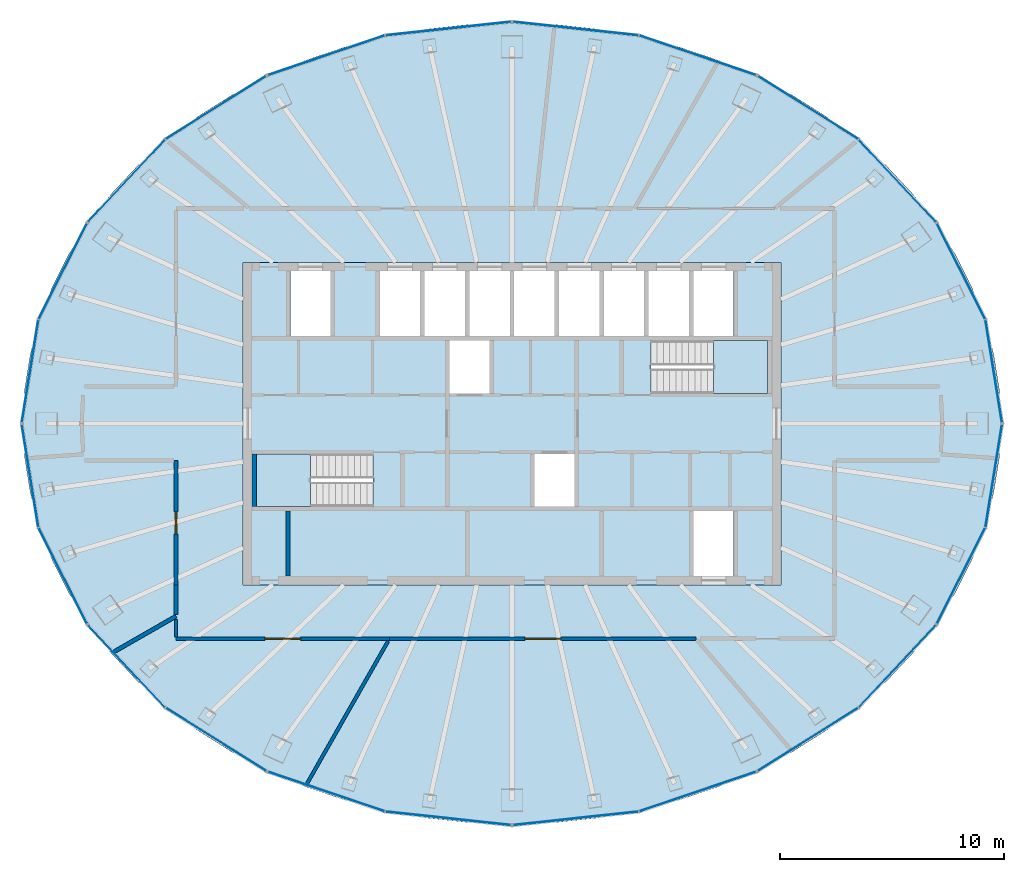
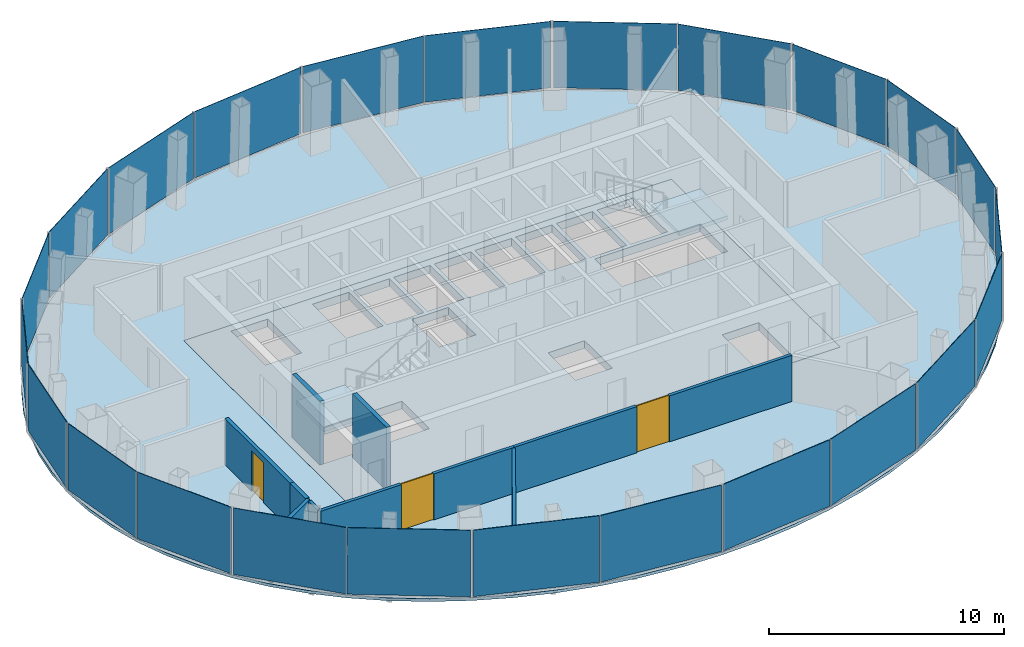
# One storey, part 7 of 11: 24 plates, 9 walls, 4 slabs, 3 doors, 3 openings, 14 elements without a shape of their own.
"""IFC4 building model written with IfcOpenShell, lengths in metres."""

from ifc_helpers import new_model, si_unit, direction, frame, frame_2d, origin, origin_2d, place, context, subcontext, project, spatial, polyline, rectangle, outline, extrude, material, layer, layer_set, type_object, element, fill, aggregate, save


model = new_model("IFC4")

# Units and contexts
model_context = context("Model", 3, precision=1e-05, world=origin(), true_north=direction((0.0, 1.0)))
body_context = subcontext(model_context, "Body", "Model", "MODEL_VIEW")
ifc_project = project(units=[si_unit("LENGTHUNIT", "METRE"), si_unit("AREAUNIT", "SQUARE_METRE"), si_unit("VOLUMEUNIT", "CUBIC_METRE"), si_unit("PLANEANGLEUNIT", "RADIAN"), si_unit("MASSUNIT", "GRAM", prefix="KILO")], contexts=[model_context])

# Site, building, storey
site_placement = place(None, origin())
site = spatial("IfcSite", under=ifc_project, at=site_placement, CompositionType="ELEMENT")
building_placement = place(site_placement, origin())
building = spatial("IfcBuilding", under=site, at=building_placement, Name="Siaravel Broadcast Tower", CompositionType="ELEMENT")
storey_placement = place(building_placement, frame((0.0, 0.0, 220.800048828125)))
storey = spatial("IfcBuildingStorey", under=building, at=storey_placement, Name="L53", CompositionType="ELEMENT", Elevation=220.800048828125)

# Curtain wall, plates
ifc_material_1 = material(Name="Aluminium 6063-T6", Category="aluminium")
ifc_layer_1 = layer(ifc_material_1, 0.159912109375)
ifc_layer_set_1 = layer_set([ifc_layer_1], Name="Aluminium 6063-T6")
curtain_wall_type = type_object("IfcCurtainWallType", Name="Unitised curtain wall, zone 4", PredefinedType="NOTDEFINED", material=ifc_layer_set_1)
curtain_wall_1_placement = place(storey_placement, origin())
curtain_wall_1 = element("IfcCurtainWall", 1, at=curtain_wall_1_placement, inside=storey, type_object=curtain_wall_type, Name="L53 Unitised curtain wall, zone 4 01", PredefinedType="NOTDEFINED")
ifc_material_2 = material(Name="Tinted insulated glass", Category="glass")
ifc_layer_2 = layer(ifc_material_2, 0.02587890625)
ifc_layer_set_2 = layer_set([ifc_layer_2], Name="Tinted insulated glass")
plate_type = type_object("IfcPlateType", Name="CW-Z4 glass panel", PredefinedType="CURTAIN_PANEL", material=ifc_layer_set_2)
plate_1_placement = place(storey_placement, frame((21.5107421875, 2.3359375, 0.090087890625), z_axis=(0.0, 0.0, 1.0), x_axis=(-0.158684943, 0.987329271, 0.0)))
plate_1 = element("IfcPlate", 2, at=plate_1_placement, type_object=plate_type, Name="CW-Z4 glass panel", PredefinedType="CURTAIN_PANEL", context=body_context, shape_type="SweptSolid", body=[
    extrude(rectangle(XDim=4.6220703125, YDim=0.02587890625, at=origin_2d()), origin(), (0.0, 0.0, 1.0), 3.4599609375),
])
plate_2_placement = place(storey_placement, frame((20.0517578125, 6.796142578125, 0.090087890625), z_axis=(0.0, 0.0, 1.0), x_axis=(-0.451259701, 0.892392673, 0.0)))
plate_2 = element("IfcPlate", 3, at=plate_2_placement, type_object=plate_type, Name="CW-Z4 glass panel", PredefinedType="CURTAIN_PANEL", context=body_context, shape_type="SweptSolid", body=[
    extrude(rectangle(XDim=4.766357421875, YDim=0.02587890625, at=origin_2d()), origin(), (0.0, 0.0, 1.0), 3.4599609375),
])
aggregate(curtain_wall_1, [plate_1, plate_2])

curtain_wall_2_placement = place(storey_placement, origin())
curtain_wall_2 = element("IfcCurtainWall", 4, at=curtain_wall_2_placement, inside=storey, type_object=curtain_wall_type, Name="L53 Unitised curtain wall, zone 4 02", PredefinedType="NOTDEFINED")
plate_3_placement = place(storey_placement, frame((17.202392578125, 10.839111328125, 0.090087890625), z_axis=(0.0, 0.0, 1.0), x_axis=(-0.68365411, 0.729806178, 0.0)))
plate_3 = element("IfcPlate", 5, at=plate_3_placement, type_object=plate_type, Name="CW-Z4 glass panel", PredefinedType="CURTAIN_PANEL", context=body_context, shape_type="SweptSolid", body=[
    extrude(rectangle(XDim=5.0068359375, YDim=0.02587890625, at=origin_2d()), origin(), (0.0, 0.0, 1.0), 3.4599609375),
])
plate_4_placement = place(storey_placement, frame((13.217529296875, 14.103515625, 0.090087890625), z_axis=(0.0, 0.0, 1.0), x_axis=(-0.84665001, 0.53215013, 0.0)))
plate_4 = element("IfcPlate", 6, at=plate_4_placement, type_object=plate_type, Name="CW-Z4 glass panel", PredefinedType="CURTAIN_PANEL", context=body_context, shape_type="SweptSolid", body=[
    extrude(rectangle(XDim=5.271240234375, YDim=0.02587890625, at=origin_2d()), origin(), (0.0, 0.0, 1.0), 3.4599609375),
])
aggregate(curtain_wall_2, [plate_3, plate_4])

curtain_wall_3_placement = place(storey_placement, origin())
curtain_wall_3 = element("IfcCurtainWall", 7, at=curtain_wall_3_placement, inside=storey, type_object=curtain_wall_type, Name="L53 Unitised curtain wall, zone 4 03", PredefinedType="NOTDEFINED")
plate_5_placement = place(storey_placement, frame((8.287841796875, 16.434814453125, 0.090087890625), z_axis=(0.0, 0.0, 1.0), x_axis=(-0.946977039, 0.321301242, 0.0)))
plate_5 = element("IfcPlate", 8, at=plate_5_placement, type_object=plate_type, Name="CW-Z4 glass panel", PredefinedType="CURTAIN_PANEL", context=body_context, shape_type="SweptSolid", body=[
    extrude(rectangle(XDim=5.489990234375, YDim=0.02587890625, at=origin_2d()), origin(), (0.0, 0.0, 1.0), 3.4599609375),
])
plate_6_placement = place(storey_placement, frame((2.8447265625, 17.62939453125, 0.090087890625), z_axis=(0.0, 0.0, 1.0), x_axis=(-0.994235568, 0.107217705, 0.0)))
plate_6 = element("IfcPlate", 9, at=plate_6_placement, type_object=plate_type, Name="CW-Z4 glass panel", PredefinedType="CURTAIN_PANEL", context=body_context, shape_type="SweptSolid", body=[
    extrude(rectangle(XDim=5.61279296875, YDim=0.02587890625, at=origin_2d()), origin(), (0.0, 0.0, 1.0), 3.4599609375),
])
aggregate(curtain_wall_3, [plate_5, plate_6])

curtain_wall_4_placement = place(storey_placement, origin())
curtain_wall_4 = element("IfcCurtainWall", 10, at=curtain_wall_4_placement, inside=storey, type_object=curtain_wall_type, Name="L53 Unitised curtain wall, zone 4 04", PredefinedType="NOTDEFINED")
plate_7_placement = place(storey_placement, frame((-2.8447265625, 17.62939453125, 0.090087890625), z_axis=(0.0, 0.0, 1.0), x_axis=(-0.994235568, -0.107217705, 0.0)))
plate_7 = element("IfcPlate", 11, at=plate_7_placement, type_object=plate_type, Name="CW-Z4 glass panel", PredefinedType="CURTAIN_PANEL", context=body_context, shape_type="SweptSolid", body=[
    extrude(rectangle(XDim=5.61279296875, YDim=0.02587890625, at=origin_2d()), origin(), (0.0, 0.0, 1.0), 3.4599609375),
])
plate_8_placement = place(storey_placement, frame((-8.287841796875, 16.434814453125, 0.090087890625), z_axis=(0.0, 0.0, 1.0), x_axis=(-0.946977039, -0.321301242, 0.0)))
plate_8 = element("IfcPlate", 12, at=plate_8_placement, type_object=plate_type, Name="CW-Z4 glass panel", PredefinedType="CURTAIN_PANEL", context=body_context, shape_type="SweptSolid", body=[
    extrude(rectangle(XDim=5.489990234375, YDim=0.02587890625, at=origin_2d()), origin(), (0.0, 0.0, 1.0), 3.4599609375),
])
aggregate(curtain_wall_4, [plate_7, plate_8])

curtain_wall_5_placement = place(storey_placement, origin())
curtain_wall_5 = element("IfcCurtainWall", 13, at=curtain_wall_5_placement, inside=storey, type_object=curtain_wall_type, Name="L53 Unitised curtain wall, zone 4 05", PredefinedType="NOTDEFINED")
plate_9_placement = place(storey_placement, frame((-13.217529296875, 14.103515625, 0.090087890625), z_axis=(0.0, 0.0, 1.0), x_axis=(-0.84665001, -0.53215013, 0.0)))
plate_9 = element("IfcPlate", 14, at=plate_9_placement, type_object=plate_type, Name="CW-Z4 glass panel", PredefinedType="CURTAIN_PANEL", context=body_context, shape_type="SweptSolid", body=[
    extrude(rectangle(XDim=5.271240234375, YDim=0.02587890625, at=origin_2d()), origin(), (0.0, 0.0, 1.0), 3.4599609375),
])
plate_10_placement = place(storey_placement, frame((-17.202392578125, 10.839111328125, 0.090087890625), z_axis=(0.0, 0.0, 1.0), x_axis=(-0.68365411, -0.729806178, 0.0)))
plate_10 = element("IfcPlate", 15, at=plate_10_placement, type_object=plate_type, Name="CW-Z4 glass panel", PredefinedType="CURTAIN_PANEL", context=body_context, shape_type="SweptSolid", body=[
    extrude(rectangle(XDim=5.0068359375, YDim=0.02587890625, at=origin_2d()), origin(), (0.0, 0.0, 1.0), 3.4599609375),
])
aggregate(curtain_wall_5, [plate_9, plate_10])

curtain_wall_6_placement = place(storey_placement, origin())
curtain_wall_6 = element("IfcCurtainWall", 16, at=curtain_wall_6_placement, inside=storey, type_object=curtain_wall_type, Name="L53 Unitised curtain wall, zone 4 06", PredefinedType="NOTDEFINED")
plate_11_placement = place(storey_placement, frame((-20.0517578125, 6.796142578125, 0.090087890625), z_axis=(0.0, 0.0, 1.0), x_axis=(-0.451259701, -0.892392673, 0.0)))
plate_11 = element("IfcPlate", 17, at=plate_11_placement, type_object=plate_type, Name="CW-Z4 glass panel", PredefinedType="CURTAIN_PANEL", context=body_context, shape_type="SweptSolid", body=[
    extrude(rectangle(XDim=4.766357421875, YDim=0.02587890625, at=origin_2d()), origin(), (0.0, 0.0, 1.0), 3.4599609375),
])
plate_12_placement = place(storey_placement, frame((-21.5107421875, 2.3359375, 0.090087890625), z_axis=(0.0, 0.0, 1.0), x_axis=(-0.158684943, -0.987329271, 0.0)))
plate_12 = element("IfcPlate", 18, at=plate_12_placement, type_object=plate_type, Name="CW-Z4 glass panel", PredefinedType="CURTAIN_PANEL", context=body_context, shape_type="SweptSolid", body=[
    extrude(rectangle(XDim=4.6220703125, YDim=0.02587890625, at=origin_2d()), origin(), (0.0, 0.0, 1.0), 3.4599609375),
])
aggregate(curtain_wall_6, [plate_11, plate_12])

curtain_wall_7_placement = place(storey_placement, origin())
curtain_wall_7 = element("IfcCurtainWall", 19, at=curtain_wall_7_placement, inside=storey, type_object=curtain_wall_type, Name="L53 Unitised curtain wall, zone 4 07", PredefinedType="NOTDEFINED")
plate_13_placement = place(storey_placement, frame((-21.5107421875, -2.3359375, 0.090087890625), z_axis=(0.0, 0.0, 1.0), x_axis=(0.158684943, -0.987329271, 0.0)))
plate_13 = element("IfcPlate", 20, at=plate_13_placement, type_object=plate_type, Name="CW-Z4 glass panel", PredefinedType="CURTAIN_PANEL", context=body_context, shape_type="SweptSolid", body=[
    extrude(rectangle(XDim=4.6220703125, YDim=0.02587890625, at=origin_2d()), origin(), (0.0, 0.0, 1.0), 3.4599609375),
])
plate_14_placement = place(storey_placement, frame((-20.0517578125, -6.796142578125, 0.090087890625), z_axis=(0.0, 0.0, 1.0), x_axis=(0.451259701, -0.892392673, 0.0)))
plate_14 = element("IfcPlate", 21, at=plate_14_placement, type_object=plate_type, Name="CW-Z4 glass panel", PredefinedType="CURTAIN_PANEL", context=body_context, shape_type="SweptSolid", body=[
    extrude(rectangle(XDim=4.766357421875, YDim=0.02587890625, at=origin_2d()), origin(), (0.0, 0.0, 1.0), 3.4599609375),
])
aggregate(curtain_wall_7, [plate_13, plate_14])

curtain_wall_8_placement = place(storey_placement, origin())
curtain_wall_8 = element("IfcCurtainWall", 22, at=curtain_wall_8_placement, inside=storey, type_object=curtain_wall_type, Name="L53 Unitised curtain wall, zone 4 08", PredefinedType="NOTDEFINED")
plate_15_placement = place(storey_placement, frame((-17.202392578125, -10.839111328125, 0.090087890625), z_axis=(0.0, 0.0, 1.0), x_axis=(0.68365411, -0.729806178, 0.0)))
plate_15 = element("IfcPlate", 23, at=plate_15_placement, type_object=plate_type, Name="CW-Z4 glass panel", PredefinedType="CURTAIN_PANEL", context=body_context, shape_type="SweptSolid", body=[
    extrude(rectangle(XDim=5.0068359375, YDim=0.02587890625, at=origin_2d()), origin(), (0.0, 0.0, 1.0), 3.4599609375),
])
plate_16_placement = place(storey_placement, frame((-13.217529296875, -14.103515625, 0.090087890625), z_axis=(0.0, 0.0, 1.0), x_axis=(0.84665001, -0.53215013, 0.0)))
plate_16 = element("IfcPlate", 24, at=plate_16_placement, type_object=plate_type, Name="CW-Z4 glass panel", PredefinedType="CURTAIN_PANEL", context=body_context, shape_type="SweptSolid", body=[
    extrude(rectangle(XDim=5.271240234375, YDim=0.02587890625, at=origin_2d()), origin(), (0.0, 0.0, 1.0), 3.4599609375),
])
aggregate(curtain_wall_8, [plate_15, plate_16])

curtain_wall_9_placement = place(storey_placement, origin())
curtain_wall_9 = element("IfcCurtainWall", 25, at=curtain_wall_9_placement, inside=storey, type_object=curtain_wall_type, Name="L53 Unitised curtain wall, zone 4 09", PredefinedType="NOTDEFINED")
plate_17_placement = place(storey_placement, frame((-8.287841796875, -16.434814453125, 0.090087890625), z_axis=(0.0, 0.0, 1.0), x_axis=(0.946977039, -0.321301242, 0.0)))
plate_17 = element("IfcPlate", 26, at=plate_17_placement, type_object=plate_type, Name="CW-Z4 glass panel", PredefinedType="CURTAIN_PANEL", context=body_context, shape_type="SweptSolid", body=[
    extrude(rectangle(XDim=5.489990234375, YDim=0.02587890625, at=origin_2d()), origin(), (0.0, 0.0, 1.0), 3.4599609375),
])
plate_18_placement = place(storey_placement, frame((-2.8447265625, -17.62939453125, 0.090087890625), z_axis=(0.0, 0.0, 1.0), x_axis=(0.994235568, -0.107217705, 0.0)))
plate_18 = element("IfcPlate", 27, at=plate_18_placement, type_object=plate_type, Name="CW-Z4 glass panel", PredefinedType="CURTAIN_PANEL", context=body_context, shape_type="SweptSolid", body=[
    extrude(rectangle(XDim=5.61279296875, YDim=0.02587890625, at=origin_2d()), origin(), (0.0, 0.0, 1.0), 3.4599609375),
])
aggregate(curtain_wall_9, [plate_17, plate_18])

curtain_wall_10_placement = place(storey_placement, origin())
curtain_wall_10 = element("IfcCurtainWall", 28, at=curtain_wall_10_placement, inside=storey, type_object=curtain_wall_type, Name="L53 Unitised curtain wall, zone 4 10", PredefinedType="NOTDEFINED")
plate_19_placement = place(storey_placement, frame((2.8447265625, -17.62939453125, 0.090087890625), z_axis=(0.0, 0.0, 1.0), x_axis=(0.994235568, 0.107217705, 0.0)))
plate_19 = element("IfcPlate", 29, at=plate_19_placement, type_object=plate_type, Name="CW-Z4 glass panel", PredefinedType="CURTAIN_PANEL", context=body_context, shape_type="SweptSolid", body=[
    extrude(rectangle(XDim=5.61279296875, YDim=0.02587890625, at=origin_2d()), origin(), (0.0, 0.0, 1.0), 3.4599609375),
])
plate_20_placement = place(storey_placement, frame((8.287841796875, -16.434814453125, 0.090087890625), z_axis=(0.0, 0.0, 1.0), x_axis=(0.946977039, 0.321301242, 0.0)))
plate_20 = element("IfcPlate", 30, at=plate_20_placement, type_object=plate_type, Name="CW-Z4 glass panel", PredefinedType="CURTAIN_PANEL", context=body_context, shape_type="SweptSolid", body=[
    extrude(rectangle(XDim=5.489990234375, YDim=0.02587890625, at=origin_2d()), origin(), (0.0, 0.0, 1.0), 3.4599609375),
])
aggregate(curtain_wall_10, [plate_19, plate_20])

curtain_wall_11_placement = place(storey_placement, origin())
curtain_wall_11 = element("IfcCurtainWall", 31, at=curtain_wall_11_placement, inside=storey, type_object=curtain_wall_type, Name="L53 Unitised curtain wall, zone 4 11", PredefinedType="NOTDEFINED")
plate_21_placement = place(storey_placement, frame((13.217529296875, -14.103515625, 0.090087890625), z_axis=(0.0, 0.0, 1.0), x_axis=(0.84665001, 0.53215013, 0.0)))
plate_21 = element("IfcPlate", 32, at=plate_21_placement, type_object=plate_type, Name="CW-Z4 glass panel", PredefinedType="CURTAIN_PANEL", context=body_context, shape_type="SweptSolid", body=[
    extrude(rectangle(XDim=5.271240234375, YDim=0.02587890625, at=origin_2d()), origin(), (0.0, 0.0, 1.0), 3.4599609375),
])
plate_22_placement = place(storey_placement, frame((17.202392578125, -10.839111328125, 0.090087890625), z_axis=(0.0, 0.0, 1.0), x_axis=(0.68365411, 0.729806178, 0.0)))
plate_22 = element("IfcPlate", 33, at=plate_22_placement, type_object=plate_type, Name="CW-Z4 glass panel", PredefinedType="CURTAIN_PANEL", context=body_context, shape_type="SweptSolid", body=[
    extrude(rectangle(XDim=5.0068359375, YDim=0.02587890625, at=origin_2d()), origin(), (0.0, 0.0, 1.0), 3.4599609375),
])
aggregate(curtain_wall_11, [plate_21, plate_22])

curtain_wall_12_placement = place(storey_placement, origin())
curtain_wall_12 = element("IfcCurtainWall", 34, at=curtain_wall_12_placement, inside=storey, type_object=curtain_wall_type, Name="L53 Unitised curtain wall, zone 4 12", PredefinedType="NOTDEFINED")
plate_23_placement = place(storey_placement, frame((20.0517578125, -6.796142578125, 0.090087890625), z_axis=(0.0, 0.0, 1.0), x_axis=(0.451259701, 0.892392673, 0.0)))
plate_23 = element("IfcPlate", 35, at=plate_23_placement, type_object=plate_type, Name="CW-Z4 glass panel", PredefinedType="CURTAIN_PANEL", context=body_context, shape_type="SweptSolid", body=[
    extrude(rectangle(XDim=4.766357421875, YDim=0.02587890625, at=origin_2d()), origin(), (0.0, 0.0, 1.0), 3.4599609375),
])
plate_24_placement = place(storey_placement, frame((21.5107421875, -2.3359375, 0.090087890625), z_axis=(0.0, 0.0, 1.0), x_axis=(0.158684943, 0.987329271, 0.0)))
plate_24 = element("IfcPlate", 36, at=plate_24_placement, type_object=plate_type, Name="CW-Z4 glass panel", PredefinedType="CURTAIN_PANEL", context=body_context, shape_type="SweptSolid", body=[
    extrude(rectangle(XDim=4.6220703125, YDim=0.02587890625, at=origin_2d()), origin(), (0.0, 0.0, 1.0), 3.4599609375),
])
aggregate(curtain_wall_12, [plate_23, plate_24])

# Slabs
ifc_material_3 = material(Name="Concrete C40/50", Category="concrete")
ifc_layer_3 = layer(ifc_material_3, 0.39990234375)
ifc_layer_set_3 = layer_set([ifc_layer_3], Name="Concrete C40/50")
slab_type_1 = type_object("IfcSlabType", Name="Core floor slab 400", PredefinedType="FLOOR", material=ifc_layer_set_3)
slab_1_placement = place(storey_placement, frame((0.0, 0.0, -0.400146484375)))
element("IfcSlab", 37, at=slab_1_placement, inside=storey, type_object=slab_type_1, Name="L53 core floor", PredefinedType="FLOOR", context=body_context, shape_type="SweptSolid", body=[
    extrude(outline(polyline([(-12.0, -7.199951171875), (-12.0, 7.199951171875), (12.0, 7.199951171875), (12.0, -7.199951171875), (-12.0, -7.199951171875)]), holes=[polyline([(11.3994140625, 1.3505859375), (11.3994140625, 3.699462890625), (6.200439453125, 3.699462890625), (6.200439453125, 1.3505859375), (11.3994140625, 1.3505859375)]), polyline([(8.10009765625, -3.89990234375), (8.10009765625, -6.800048828125), (9.89990234375, -6.800048828125), (9.89990234375, -3.89990234375), (8.10009765625, -3.89990234375)]), polyline([(9.89990234375, 6.800048828125), (8.10009765625, 6.800048828125), (8.10009765625, 3.89990234375), (9.89990234375, 3.89990234375), (9.89990234375, 6.800048828125)]), polyline([(7.89990234375, 6.800048828125), (6.10009765625, 6.800048828125), (6.10009765625, 3.89990234375), (7.89990234375, 3.89990234375), (7.89990234375, 6.800048828125)]), polyline([(5.89990234375, 6.800048828125), (4.10009765625, 6.800048828125), (4.10009765625, 3.89990234375), (5.89990234375, 3.89990234375), (5.89990234375, 6.800048828125)]), polyline([(3.89990234375, 6.800048828125), (2.10009765625, 6.800048828125), (2.10009765625, 3.89990234375), (3.89990234375, 3.89990234375), (3.89990234375, 6.800048828125)]), polyline([(2.800048828125, -1.35009765625), (1.0, -1.35009765625), (1.0, -3.699951171875), (2.800048828125, -3.699951171875), (2.800048828125, -1.35009765625)]), polyline([(1.89990234375, 6.800048828125), (0.10009765625, 6.800048828125), (0.10009765625, 3.89990234375), (1.89990234375, 3.89990234375), (1.89990234375, 6.800048828125)]), polyline([(-0.10009765625, 6.800048828125), (-1.89990234375, 6.800048828125), (-1.89990234375, 3.89990234375), (-0.10009765625, 3.89990234375), (-0.10009765625, 6.800048828125)]), polyline([(-1.0, 3.699951171875), (-2.800048828125, 3.699951171875), (-2.800048828125, 1.35009765625), (-1.0, 1.35009765625), (-1.0, 3.699951171875)]), polyline([(-2.10009765625, 6.800048828125), (-3.89990234375, 6.800048828125), (-3.89990234375, 3.89990234375), (-2.10009765625, 3.89990234375), (-2.10009765625, 6.800048828125)]), polyline([(-4.10009765625, 6.800048828125), (-5.89990234375, 6.800048828125), (-5.89990234375, 3.89990234375), (-4.10009765625, 3.89990234375), (-4.10009765625, 6.800048828125)]), polyline([(-11.3994140625, -3.699462890625), (-6.200439453125, -3.699462890625), (-6.200439453125, -1.3505859375), (-11.3994140625, -1.3505859375), (-11.3994140625, -3.699462890625)]), polyline([(-8.10009765625, 6.800048828125), (-9.89990234375, 6.800048828125), (-9.89990234375, 3.89990234375), (-8.10009765625, 3.89990234375), (-8.10009765625, 6.800048828125)])]), origin(), (0.0, 0.0, 1.0), 0.400146484375),
])
ifc_layer_4 = layer(ifc_material_3, 0.14990234375)
ifc_layer_set_4 = layer_set([ifc_layer_4], Name="Concrete C40/50")
slab_type_2 = type_object("IfcSlabType", Name="SLB-FLOOR-150", PredefinedType="FLOOR", material=ifc_layer_set_4)
slab_2_placement = place(storey_placement, frame((0.0, 0.0, -0.150146484375)))
element("IfcSlab", 38, at=slab_2_placement, inside=storey, type_object=slab_type_2, Name="Floor slab", PredefinedType="FLOOR", context=body_context, shape_type="SweptSolid", body=[
    extrude(outline(polyline([(21.836181640625, 0.0), (21.753173828125, 1.558837890625), (21.50439453125, 3.10595703125), (21.092041015625, 4.62939453125), (20.519287109375, 6.117431640625), (19.790283203125, 7.55908203125), (18.91064453125, 8.943115234375), (17.88720703125, 10.25927734375), (16.7275390625, 11.4970703125), (15.4404296875, 12.6474609375), (14.035888671875, 13.70166015625), (12.524658203125, 14.651611328125), (10.918212890625, 15.489990234375), (9.228515625, 16.21044921875), (7.468505859375, 16.8076171875), (5.651611328125, 17.27685546875), (3.791748046875, 17.614501953125), (1.9033203125, 17.818115234375), (0.0, 17.88623046875), (-1.9033203125, 17.818115234375), (-3.791748046875, 17.614501953125), (-5.651611328125, 17.27685546875), (-7.468505859375, 16.8076171875), (-9.228515625, 16.21044921875), (-10.918212890625, 15.489990234375), (-12.524658203125, 14.651611328125), (-14.035888671875, 13.70166015625), (-15.4404296875, 12.6474609375), (-16.7275390625, 11.4970703125), (-17.88720703125, 10.25927734375), (-18.91064453125, 8.943115234375), (-19.790283203125, 7.55908203125), (-20.519287109375, 6.117431640625), (-21.092041015625, 4.62939453125), (-21.50439453125, 3.10595703125), (-21.753173828125, 1.558837890625), (-21.836181640625, 0.0), (-21.753173828125, -1.558837890625), (-21.50439453125, -3.10595703125), (-21.092041015625, -4.62939453125), (-20.519287109375, -6.117431640625), (-19.790283203125, -7.55908203125), (-18.91064453125, -8.943115234375), (-17.88720703125, -10.25927734375), (-16.7275390625, -11.4970703125), (-15.4404296875, -12.6474609375), (-14.035888671875, -13.70166015625), (-12.524658203125, -14.651611328125), (-10.918212890625, -15.489990234375), (-9.228515625, -16.21044921875), (-7.468505859375, -16.8076171875), (-5.651611328125, -17.27685546875), (-3.791748046875, -17.614501953125), (-1.9033203125, -17.818115234375), (0.0, -17.88623046875), (1.9033203125, -17.818115234375), (3.791748046875, -17.614501953125), (5.651611328125, -17.27685546875), (7.468505859375, -16.8076171875), (9.228515625, -16.21044921875), (10.918212890625, -15.489990234375), (12.524658203125, -14.651611328125), (14.035888671875, -13.70166015625), (15.4404296875, -12.6474609375), (16.7275390625, -11.4970703125), (17.88720703125, -10.25927734375), (18.91064453125, -8.943115234375), (19.790283203125, -7.55908203125), (20.519287109375, -6.117431640625), (21.092041015625, -4.62939453125), (21.50439453125, -3.10595703125), (21.753173828125, -1.558837890625), (21.836181640625, 0.0)]), holes=[polyline([(-12.0, 7.199951171875), (12.0, 7.199951171875), (12.0, -7.199951171875), (-12.0, -7.199951171875), (-12.0, 7.199951171875)])]), origin(), (0.0, 0.0, 1.0), 0.150146484375),
])

# Stair, slab
stair_type = type_object("IfcStairType", Name="Core exit stair", PredefinedType="HALF_TURN_STAIR", material=ifc_material_3)
stair_1_placement = place(storey_placement, origin())
stair_1 = element("IfcStair", 39, at=stair_1_placement, inside=storey, type_object=stair_type, Name="L53 Exit stair ST-1", PredefinedType="HALF_TURN_STAIR")
ifc_layer_5 = layer(ifc_material_3, 0.199951171875)
ifc_layer_set_5 = layer_set([ifc_layer_5], Name="Concrete C40/50")
slab_type_3 = type_object("IfcSlabType", Name="Stair landing", PredefinedType="LANDING", material=ifc_layer_set_5)
slab_3_placement = place(storey_placement, frame((0.0, 0.0, 1.64990234375)))
slab_3 = element("IfcSlab", 40, at=slab_3_placement, type_object=slab_type_3, Name="ST-1 landing 1", PredefinedType="LANDING", context=body_context, shape_type="SweptSolid", body=[
    extrude(outline(polyline([(-9.0, -1.35009765625), (-11.39990234375, -1.35009765625), (-11.39990234375, -3.699951171875), (-9.0, -3.699951171875), (-9.0, -1.35009765625)])), origin(), (0.0, 0.0, 1.0), 0.199951171875),
])
aggregate(stair_1, [slab_3])

stair_2_placement = place(storey_placement, origin())
stair_2 = element("IfcStair", 41, at=stair_2_placement, inside=storey, type_object=stair_type, Name="L53 Exit stair ST-2", PredefinedType="HALF_TURN_STAIR")
slab_4_placement = place(storey_placement, frame((0.0, 0.0, 1.64990234375)))
slab_4 = element("IfcSlab", 42, at=slab_4_placement, type_object=slab_type_3, Name="ST-2 landing 1", PredefinedType="LANDING", context=body_context, shape_type="SweptSolid", body=[
    extrude(outline(polyline([(9.0, 1.35009765625), (11.39990234375, 1.35009765625), (11.39990234375, 3.699951171875), (9.0, 3.699951171875), (9.0, 1.35009765625)])), origin(), (0.0, 0.0, 1.0), 0.199951171875),
])
aggregate(stair_2, [slab_4])

# Wall, opening, door
ifc_material_4 = material(Name="Gypsum board partition", Category="gypsum")
ifc_layer_6 = layer(ifc_material_4, 0.14990234375)
ifc_layer_set_6 = layer_set([ifc_layer_6], Name="Gypsum board partition")
wall_type_1 = type_object("IfcWallType", Name="Corridor wall 150", PredefinedType="PARTITIONING", material=ifc_layer_set_6)
wall_1_placement = place(storey_placement, frame((-5.465087890625, -9.60009765625, 0.0), z_axis=(0.0, 0.0, 1.0), x_axis=(1.0, 0.0, 0.0)))
wall_1 = element("IfcWall", 43, at=wall_1_placement, inside=storey, type_object=wall_type_1, Name="L53 partition 1", PredefinedType="PARTITIONING", context=body_context, shape_type="SweptSolid", body=[
    extrude(rectangle(XDim=13.67138671875, YDim=0.14990234375, at=frame_2d((6.835693359375, 0.0))), origin(), (0.0, 0.0, 1.0), 2.39990234375),
])
opening_1_placement = place(wall_1_placement, frame((6.035888671875, 0.0, 0.0)))
opening_1 = element("IfcOpeningElement", 44, at=opening_1_placement, cuts=wall_1, Name="Opening L53-001", PredefinedType="OPENING", context=body_context, shape_type="SweptSolid", body=[
    extrude(rectangle(XDim=1.60009765625, YDim=2.39990234375, at=frame_2d((0.800048828125, 1.199951171875))), frame((0.0, 0.0849609375, 0.0), z_axis=(0.0, -1.0, 0.0), x_axis=(1.0, 0.0, 0.0)), (0.0, 0.0, 1.0), 0.169921875),
])
ifc_material_5 = material(Name="Timber veneer", Category="wood")
door_type_1 = type_object("IfcDoorType", Name="Restaurant double door 1600", OperationType="DOUBLE_DOOR_SINGLE_SWING", PredefinedType="DOOR", material=ifc_material_5)
door_1_placement = place(opening_1_placement, origin())
door_1 = element("IfcDoor", 45, at=door_1_placement, inside=storey, type_object=door_type_1, Name="L53 door to Restaurant", OperationType="DOUBLE_DOOR_SINGLE_SWING", OverallHeight=2.39990234375, OverallWidth=1.60009765625, PredefinedType="DOOR", context=body_context, shape_type="SweptSolid", body=[
    extrude(rectangle(XDim=1.60009765625, YDim=2.39990234375, at=frame_2d((0.800048828125, 1.199951171875))), frame((0.0, 0.02490234375, 0.0), z_axis=(0.0, -1.0, 0.0), x_axis=(1.0, 0.0, 0.0)), (0.0, 0.0, 1.0), 0.050048828125),
])
fill(opening_1, door_1)

wall_2_placement = place(storey_placement, frame((-15.0, -9.60009765625, 0.0), z_axis=(0.0, 0.0, 1.0), x_axis=(1.0, 0.0, 0.0)))
wall_2 = element("IfcWall", 46, at=wall_2_placement, inside=storey, type_object=wall_type_1, Name="L53 partition 3", PredefinedType="PARTITIONING", context=body_context, shape_type="SweptSolid", body=[
    extrude(rectangle(XDim=9.533935546875, YDim=0.14990234375, at=frame_2d((4.76708984375, 0.0))), origin(), (0.0, 0.0, 1.0), 2.39990234375),
])
opening_2_placement = place(wall_2_placement, frame((3.966796875, 0.0, 0.0)))
opening_2 = element("IfcOpeningElement", 47, at=opening_2_placement, cuts=wall_2, Name="Opening L53-009", PredefinedType="OPENING", context=body_context, shape_type="SweptSolid", body=[
    extrude(rectangle(XDim=1.60009765625, YDim=2.39990234375, at=frame_2d((0.800048828125, 1.199951171875))), frame((0.0, 0.0849609375, 0.0), z_axis=(0.0, -1.0, 0.0), x_axis=(1.0, 0.0, 0.0)), (0.0, 0.0, 1.0), 0.169921875),
])
door_2_placement = place(opening_2_placement, origin())
door_2 = element("IfcDoor", 48, at=door_2_placement, inside=storey, type_object=door_type_1, Name="L53 door to Lounge", OperationType="DOUBLE_DOOR_SINGLE_SWING", OverallHeight=2.39990234375, OverallWidth=1.60009765625, PredefinedType="DOOR", context=body_context, shape_type="SweptSolid", body=[
    extrude(rectangle(XDim=1.60009765625, YDim=2.39990234375, at=frame_2d((0.800048828125, 1.199951171875))), frame((0.0, 0.02490234375, 0.0), z_axis=(0.0, -1.0, 0.0), x_axis=(1.0, 0.0, 0.0)), (0.0, 0.0, 1.0), 0.050048828125),
])
fill(opening_2, door_2)

# Walls
wall_3_placement = place(storey_placement, frame((-15.0, -8.751953125, 0.0), z_axis=(0.0, 0.0, 1.0), x_axis=(0.0, -1.0, 0.0)))
element("IfcWall", 49, at=wall_3_placement, inside=storey, type_object=wall_type_1, Name="L53 partition 34", PredefinedType="PARTITIONING", context=body_context, shape_type="SweptSolid", body=[
    extrude(rectangle(XDim=0.77099609375, YDim=0.14990234375, at=frame_2d((0.385498046875, 0.0))), origin(), (0.0, 0.0, 1.0), 2.39990234375),
])
ifc_layer_7 = layer(ifc_material_4, 0.14990234375)
ifc_layer_set_7 = layer_set([ifc_layer_7], Name="Gypsum board partition")
wall_type_2 = type_object("IfcWallType", Name="Room partition 150", PredefinedType="PARTITIONING", material=ifc_layer_set_7)
wall_4_placement = place(storey_placement, frame((-5.52978515625, -9.7138671875, 0.0), z_axis=(0.0, 0.0, 1.0), x_axis=(-0.494743906, -0.869038818, 0.0)))
element("IfcWall", 50, at=wall_4_placement, inside=storey, type_object=wall_type_2, Name="L53 partition 6", PredefinedType="PARTITIONING", context=body_context, shape_type="SweptSolid", body=[
    extrude(rectangle(XDim=7.353759765625, YDim=0.14990234375, at=frame_2d((3.6767578125, 0.0))), origin(), (0.0, 0.0, 1.0), 2.39990234375),
])

# Wall, opening, door
ifc_material_6 = material(Name="Concrete blockwork", Category="masonry")
ifc_layer_8 = layer(ifc_material_6, 0.179931640625)
ifc_layer_set_8 = layer_set([ifc_layer_8], Name="Concrete blockwork")
wall_type_3 = type_object("IfcWallType", Name="Service room fire partition 180", PredefinedType="PARTITIONING", material=ifc_layer_set_8)
wall_5_placement = place(storey_placement, frame((-15.0, -1.64990234375, 0.0), z_axis=(0.0, 0.0, 1.0), x_axis=(0.0, -1.0, 0.0)))
wall_5 = element("IfcWall", 51, at=wall_5_placement, inside=storey, type_object=wall_type_3, Name="L53 partition 10", PredefinedType="PARTITIONING", context=body_context, shape_type="SweptSolid", body=[
    extrude(rectangle(XDim=5.56201171875, YDim=0.179931640625, at=frame_2d((2.781005859375, 0.0))), origin(), (0.0, 0.0, 1.0), 2.39990234375),
])
opening_3_placement = place(wall_5_placement, frame((2.281005859375, 0.0, 0.0)))
opening_3 = element("IfcOpeningElement", 52, at=opening_3_placement, cuts=wall_5, Name="Opening L53-008", PredefinedType="OPENING", context=body_context, shape_type="SweptSolid", body=[
    extrude(rectangle(XDim=1.0, YDim=2.10009765625, at=frame_2d((0.5, 1.050048828125))), frame((0.0, 0.099853515625, 0.0), z_axis=(0.0, -1.0, 0.0), x_axis=(1.0, 0.0, 0.0)), (0.0, 0.0, 1.0), 0.199951171875),
])
ifc_material_7 = material(Name="Steel", Category="steel")
door_type_2 = type_object("IfcDoorType", Name="Service room door 1000", OperationType="SINGLE_SWING_LEFT", PredefinedType="DOOR", material=ifc_material_7)
door_3_placement = place(opening_3_placement, origin())
door_3 = element("IfcDoor", 53, at=door_3_placement, inside=storey, type_object=door_type_2, Name="L53 door to Library", OperationType="SINGLE_SWING_RIGHT", OverallHeight=2.10009765625, OverallWidth=1.0, PredefinedType="DOOR", context=body_context, shape_type="SweptSolid", body=[
    extrude(rectangle(XDim=1.0, YDim=2.10009765625, at=frame_2d((0.5, 1.050048828125))), frame((0.0, 0.02490234375, 0.0), z_axis=(0.0, -1.0, 0.0), x_axis=(1.0, 0.0, 0.0)), (0.0, 0.0, 1.0), 0.050048828125),
])
fill(opening_3, door_3)

# Walls
wall_6_placement = place(storey_placement, frame((-17.7802734375, -10.197998046875, 0.0), z_axis=(0.0, 0.0, 1.0), x_axis=(0.867435755, 0.497549205, 0.0)))
element("IfcWall", 54, at=wall_6_placement, inside=storey, type_object=wall_type_3, Name="L53 partition 22", PredefinedType="PARTITIONING", context=body_context, shape_type="SweptSolid", body=[
    extrude(rectangle(XDim=3.205078125, YDim=0.179931640625, at=frame_2d((1.6025390625, 0.0))), origin(), (0.0, 0.0, 1.0), 2.39990234375),
])
wall_7_placement = place(storey_placement, frame((-15.0, -7.212890625, 0.0), z_axis=(0.0, 0.0, 1.0), x_axis=(0.0, -1.0, 0.0)))
element("IfcWall", 55, at=wall_7_placement, inside=storey, type_object=wall_type_3, Name="L53 partition 29", PredefinedType="PARTITIONING", context=body_context, shape_type="SweptSolid", body=[
    extrude(rectangle(XDim=1.310302734375, YDim=0.179931640625, at=frame_2d((0.6552734375, 0.0))), origin(), (0.0, 0.0, 1.0), 2.39990234375),
])
ifc_material_8 = material(Name="Concrete C60/75", Category="concrete")
ifc_layer_9 = layer(ifc_material_8, 0.199951171875)
ifc_layer_set_9 = layer_set([ifc_layer_9], Name="Concrete C60/75")
wall_type_4 = type_object("IfcWallType", Name="Shaft wall 200", PredefinedType="SHEAR", material=ifc_layer_set_9)
wall_8_placement = place(storey_placement, frame((-10.0, -6.800048828125, 0.0), z_axis=(0.0, 0.0, 1.0), x_axis=(0.0, 1.0, 0.0)))
element("IfcWall", 56, at=wall_8_placement, inside=storey, type_object=wall_type_4, Name="L53 core wall SWS0", PredefinedType="SHEAR", context=body_context, shape_type="SweptSolid", body=[
    extrude(rectangle(XDim=2.900146484375, YDim=0.199951171875, at=frame_2d((1.4501953125, 0.0))), origin(), (0.0, 0.0, 1.0), 3.300048828125),
])
wall_9_placement = place(storey_placement, frame((-11.5, -3.699951171875, 0.0), z_axis=(0.0, 0.0, 1.0), x_axis=(0.0, 1.0, 0.0)))
element("IfcWall", 57, at=wall_9_placement, inside=storey, type_object=wall_type_4, Name="L53 core wall ST1W", PredefinedType="SHEAR", context=body_context, shape_type="SweptSolid", body=[
    extrude(rectangle(XDim=2.349853515625, YDim=0.199951171875, at=frame_2d((1.1748046875, 0.0))), origin(), (0.0, 0.0, 1.0), 3.300048828125),
])

save(model, "model.ifc")
